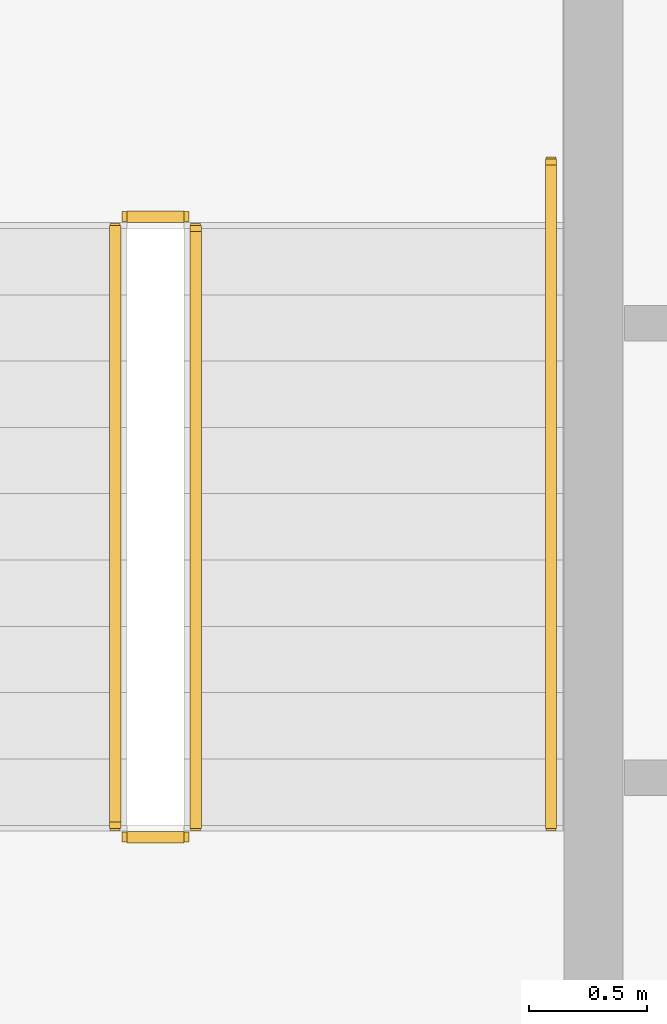
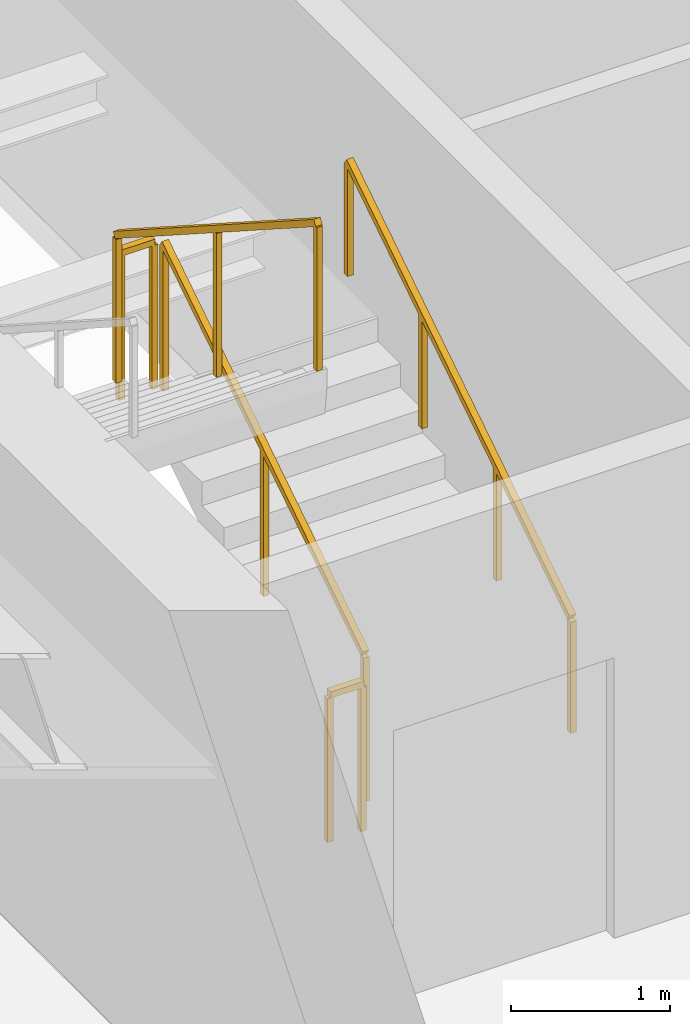
# One storey, part 24 of 27: 5 railings.
"""IFC4 building model written with IfcOpenShell, lengths in metres."""

from ifc_helpers import new_model, si_unit, direction, frame, origin, origin_2d, place, context, subcontext, project, spatial, rectangle, extrude, material, type_object, element, save


model = new_model("IFC4")

# Units and contexts
model_context = context("Model", 3, precision=1e-05, world=origin(), true_north=direction((0.0, 1.0)))
body_context = subcontext(model_context, "Body", "Model", "MODEL_VIEW")
ifc_project = project(units=[si_unit("LENGTHUNIT", "METRE"), si_unit("AREAUNIT", "SQUARE_METRE"), si_unit("VOLUMEUNIT", "CUBIC_METRE"), si_unit("PLANEANGLEUNIT", "RADIAN"), si_unit("MASSUNIT", "GRAM", prefix="KILO")], contexts=[model_context])

# Site, building, storey
site_placement = place(None, origin())
site = spatial("IfcSite", under=ifc_project, at=site_placement, CompositionType="ELEMENT")
building_placement = place(site_placement, origin())
building = spatial("IfcBuilding", under=site, at=building_placement, Name="Sumidabori Civic Tower", CompositionType="ELEMENT")
storey_placement = place(building_placement, frame((0.0, 0.0, 135.199951171875)))
storey = spatial("IfcBuildingStorey", under=building, at=storey_placement, Name="L34", CompositionType="ELEMENT", Elevation=135.199951171875)

# Railings
ifc_material_1 = material(Name="Stainless Steel Hairline Finish", Category="steel")
railing_type_1 = type_object("IfcRailingType", Name="RL-HANDRAIL", PredefinedType="HANDRAIL", material=ifc_material_1)
railing_1_placement = place(storey_placement, frame((-11.949951171875, 16.0, 0.179931640625)))
element("IfcRailing", 1, at=railing_1_placement, inside=storey, type_object=railing_type_1, Name="L34 ST-1 stair handrail 1", PredefinedType="HANDRAIL", context=body_context, shape_type="SweptSolid", body=[
    extrude(rectangle(XDim=0.048095703125, YDim=0.048095703125, at=origin_2d()), frame((0.0, 0.0, 0.8759765625), z_axis=(0.0, 0.84064222762, 0.54159084662), x_axis=(-1.0, 0.0, 0.0)), (0.0, 0.0, 1.0), 3.330810546875),
    extrude(rectangle(XDim=0.0419921875, YDim=0.0419921875, at=origin_2d()), origin(), (0.0, 0.0, 1.0), 0.851806640625),
    extrude(rectangle(XDim=0.0419921875, YDim=0.0419921875, at=origin_2d()), frame((0.0, 0.933349609375, 0.601318359375)), (0.0, 0.0, 1.0), 0.851806640625),
    extrude(rectangle(XDim=0.0419921875, YDim=0.0419921875, at=origin_2d()), frame((0.0, 1.86669921875, 1.20263671875)), (0.0, 0.0, 1.0), 0.851806640625),
    extrude(rectangle(XDim=0.0419921875, YDim=0.0419921875, at=origin_2d()), frame((0.0, 2.800048828125, 1.803955078125)), (0.0, 0.0, 1.0), 0.851806640625),
])
ifc_material_2 = material(Name="Steel SN490", Category="steel")
railing_type_2 = type_object("IfcRailingType", Name="RL-STAIR-GUARD", PredefinedType="GUARDRAIL", material=ifc_material_2)
railing_2_placement = place(storey_placement, frame((-13.449951171875, 16.0, 0.179931640625)))
element("IfcRailing", 2, at=railing_2_placement, inside=storey, type_object=railing_type_2, Name="L34 ST-1 stair guard 1", PredefinedType="GUARDRAIL", context=body_context, shape_type="SweptSolid", body=[
    extrude(rectangle(XDim=0.048095703125, YDim=0.048095703125, at=origin_2d()), frame((0.0, 0.0, 1.1259765625), z_axis=(0.0, 0.841162588446, 0.540782303519), x_axis=(-1.0, 0.0, 0.0)), (0.0, 0.0, 1.0), 2.995849609375),
    extrude(rectangle(XDim=0.0419921875, YDim=0.0419921875, at=origin_2d()), origin(), (0.0, 0.0, 1.0), 1.101806640625),
    extrude(rectangle(XDim=0.0419921875, YDim=0.0419921875, at=origin_2d()), frame((0.0, 1.260009765625, 0.81005859375)), (0.0, 0.0, 1.0), 1.101806640625),
    extrude(rectangle(XDim=0.0419921875, YDim=0.0419921875, at=origin_2d()), frame((0.0, 2.52001953125, 1.6201171875)), (0.0, 0.0, 1.0), 1.101806640625),
])
railing_3_placement = place(storey_placement, frame((-13.5, 18.570068359375, 1.800048828125)))
element("IfcRailing", 3, at=railing_3_placement, inside=storey, type_object=railing_type_2, Name="L34 ST-1 stair guard 2", PredefinedType="GUARDRAIL", context=body_context, shape_type="SweptSolid", body=[
    extrude(rectangle(XDim=0.048095703125, YDim=0.048095703125, at=origin_2d()), frame((0.0, 0.0, 1.1259765625), z_axis=(-1.0, 0.0, 0.0), x_axis=(0.0, -1.0, 0.0)), (0.0, 0.0, 1.0), 0.239990234375),
    extrude(rectangle(XDim=0.0419921875, YDim=0.0419921875, at=origin_2d()), origin(), (0.0, 0.0, 1.0), 1.101806640625),
    extrude(rectangle(XDim=0.0419921875, YDim=0.0419921875, at=origin_2d()), frame((-0.239990234375, 0.0, 0.0)), (0.0, 0.0, 1.0), 1.101806640625),
])
railing_4_placement = place(storey_placement, frame((-13.7900390625, 18.52001953125, 1.97998046875)))
element("IfcRailing", 4, at=railing_4_placement, inside=storey, type_object=railing_type_2, Name="L34 ST-1 stair guard 3", PredefinedType="GUARDRAIL", context=body_context, shape_type="SweptSolid", body=[
    extrude(rectangle(XDim=0.048095703125, YDim=0.048095703125, at=origin_2d()), frame((0.0, 0.0, 1.1259765625), z_axis=(0.0, -0.841162588446, 0.540782303519), x_axis=(1.0, 0.0, 0.0)), (0.0, 0.0, 1.0), 2.995849609375),
    extrude(rectangle(XDim=0.0419921875, YDim=0.0419921875, at=origin_2d()), origin(), (0.0, 0.0, 1.0), 1.101806640625),
    extrude(rectangle(XDim=0.0419921875, YDim=0.0419921875, at=origin_2d()), frame((0.0, -1.260009765625, 0.81005859375)), (0.0, 0.0, 1.0), 1.101806640625),
    extrude(rectangle(XDim=0.0419921875, YDim=0.0419921875, at=origin_2d()), frame((0.0, -2.52001953125, 1.6201171875)), (0.0, 0.0, 1.0), 1.101806640625),
])
railing_5_placement = place(storey_placement, frame((-13.5, 15.949951171875, 0.0)))
element("IfcRailing", 5, at=railing_5_placement, inside=storey, type_object=railing_type_2, Name="L34 ST-1 stair guard 4", PredefinedType="GUARDRAIL", context=body_context, shape_type="SweptSolid", body=[
    extrude(rectangle(XDim=0.048095703125, YDim=0.048095703125, at=origin_2d()), frame((0.0, 0.0, 1.1259765625), z_axis=(-1.0, 0.0, 0.0), x_axis=(0.0, -1.0, 0.0)), (0.0, 0.0, 1.0), 0.239990234375),
    extrude(rectangle(XDim=0.0419921875, YDim=0.0419921875, at=origin_2d()), origin(), (0.0, 0.0, 1.0), 1.101806640625),
    extrude(rectangle(XDim=0.0419921875, YDim=0.0419921875, at=origin_2d()), frame((-0.239990234375, 0.0, 0.0)), (0.0, 0.0, 1.0), 1.101806640625),
])

save(model, "model.ifc")
